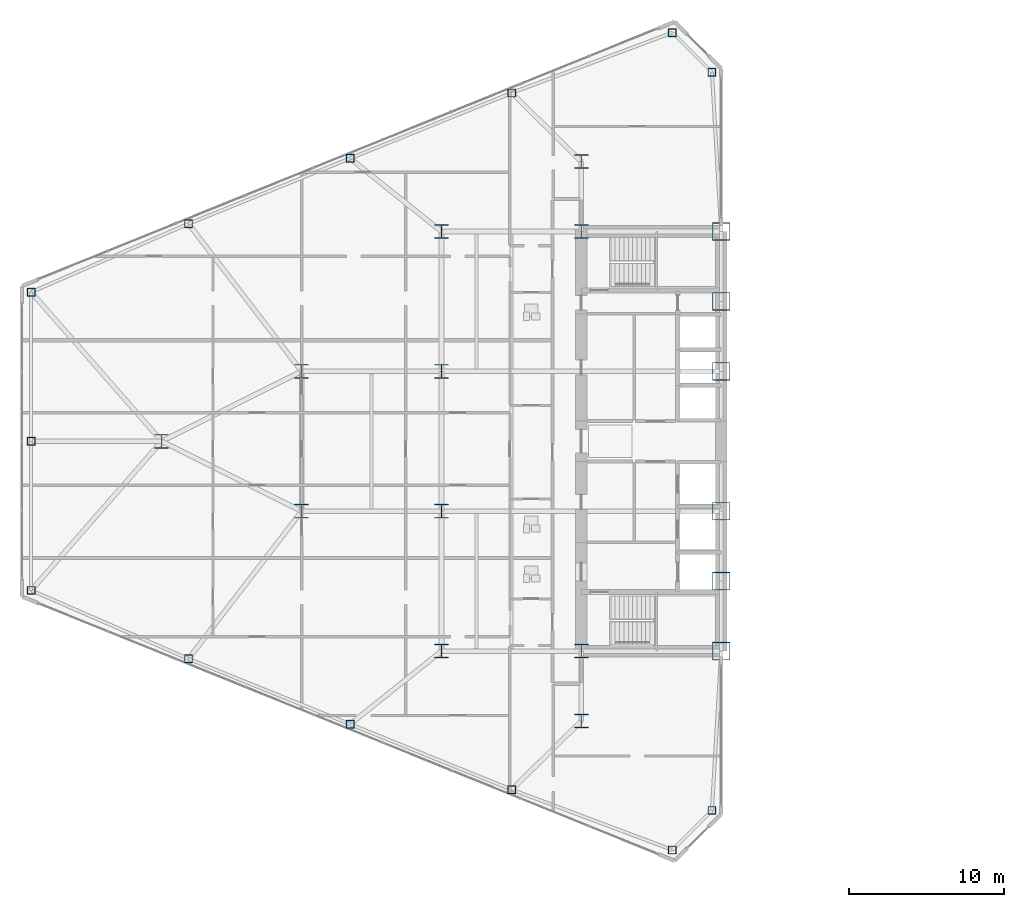
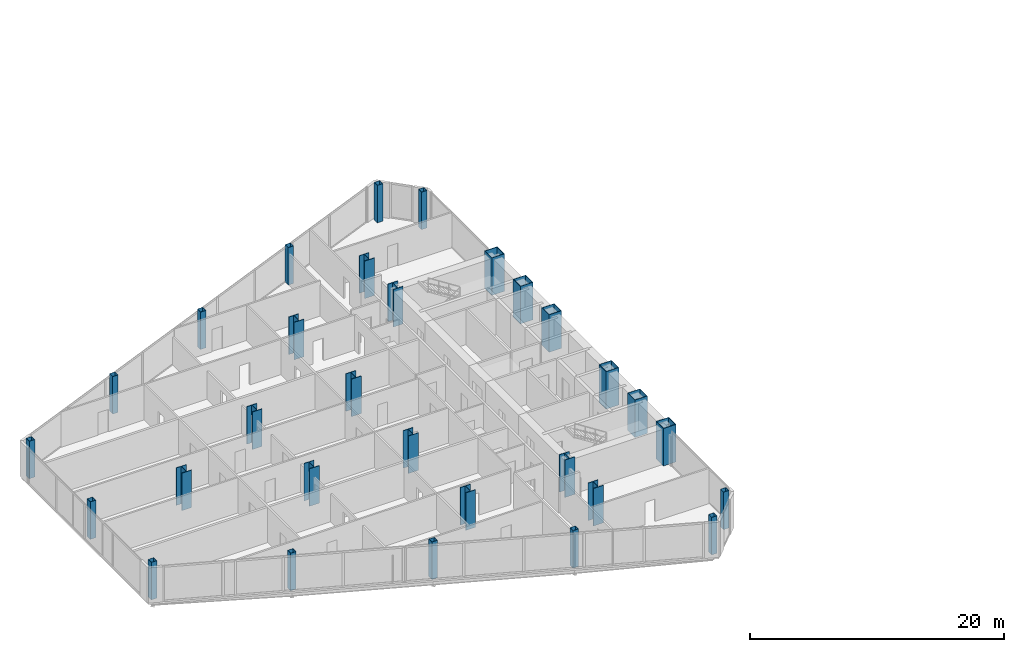
# One storey, part 1 of 25: 30 columns.
"""IFC4 building model written with IfcOpenShell, lengths in metres."""

import ifcopenshell
import ifcopenshell.guid

model = None  # the IFC model being written
_history = None  # IfcOwnerHistory: only IFC2X3 demands one
_inside = {}  # id of a spatial element -> (the spatial element, [elements in it])
_under = {}  # id of a project, library or spatial element -> (it, [spatial elements below it])
_declared = {}  # id of a project -> (the project, [libraries it declares])
_typed = {}  # id of a type object -> (the type object, [elements of that type])
_made_of = {}  # id of a material, layer set ... -> (it, [elements and type objects made of it])


def new_model(schema):
    """Start an empty IFC model of exactly this schema.

    Asked for "IFC4X3", IfcOpenShell would pick the latest addendum, in which some entities
    have other attributes; the version numbers below select the first issue.
    IFC2X3 requires an IfcOwnerHistory on every rooted entity: one is made here for all.
    """
    global model, _history
    if schema == "IFC4X3":
        model = ifcopenshell.file(schema_version=(4, 3, 0, 0))
    else:
        model = ifcopenshell.file(schema=schema)
    _inside.clear()
    _under.clear()
    _declared.clear()
    _typed.clear()
    _made_of.clear()
    _history = None
    if model.schema == "IFC2X3":
        org = make("IfcOrganization", Name="unknown")
        user = make(
            "IfcPersonAndOrganization",
            ThePerson=make("IfcPerson", FamilyName="unknown"),
            TheOrganization=org,
        )
        app = make(
            "IfcApplication",
            ApplicationDeveloper=org,
            Version="unknown",
            ApplicationFullName="unknown",
            ApplicationIdentifier="unknown",
        )
        _history = make(
            "IfcOwnerHistory",
            OwningUser=user,
            OwningApplication=app,
            ChangeAction="ADDED",
            CreationDate=0,
        )
    return model


def make(cls, **values):
    """One entity of the class cls with the attributes given. An attribute that is None is left unset."""
    return model.create_entity(
        cls, **{name: value for name, value in values.items() if value is not None}
    )


def rooted(cls, **values):
    """An entity with a GlobalId (a new one), such as an element, a storey or a relation."""
    return make(cls, GlobalId=ifcopenshell.guid.new(), OwnerHistory=_history, **values)


def si_unit(unit_type, name, prefix=None):
    """IfcSIUnit, for example si_unit("LENGTHUNIT", "METRE", prefix="MILLI")."""
    return make("IfcSIUnit", UnitType=unit_type, Prefix=prefix, Name=name)


def assignment(units):
    """IfcUnitAssignment: the units of a project."""
    return None if units is None else make("IfcUnitAssignment", Units=units)


def point(xyz):
    """IfcCartesianPoint."""
    return None if xyz is None else make("IfcCartesianPoint", Coordinates=xyz)


def direction(xyz):
    """IfcDirection."""
    return None if xyz is None else make("IfcDirection", DirectionRatios=xyz)


def frame(location, z_axis=None, x_axis=None):
    """IfcAxis2Placement3D, a coordinate frame: its origin and axes. An axis left out is left unset."""
    return make(
        "IfcAxis2Placement3D",
        Location=point(location),
        Axis=direction(z_axis),
        RefDirection=direction(x_axis),
    )


def frame_2d(location, x_axis=None):
    """IfcAxis2Placement2D, a coordinate frame in the plane: its origin and x axis."""
    return make(
        "IfcAxis2Placement2D", Location=point(location), RefDirection=direction(x_axis)
    )


def origin():
    """The frame at (0, 0, 0) with its axes left unset."""
    return frame((0.0, 0.0, 0.0))


def origin_2d():
    """The frame at (0, 0) in the plane with its x axis left unset."""
    return frame_2d((0.0, 0.0))


def place(relative_to, where):
    """IfcLocalPlacement: puts the frame where relative to a parent placement (None: the world)."""
    return make(
        "IfcLocalPlacement", PlacementRelTo=relative_to, RelativePlacement=where
    )


def context(
    kind, dimensions, precision=None, world=None, true_north=None, identifier=None
):
    """IfcGeometricRepresentationContext, for example the 3D "Model" context."""
    return make(
        "IfcGeometricRepresentationContext",
        ContextIdentifier=identifier,
        ContextType=kind,
        CoordinateSpaceDimension=dimensions,
        Precision=precision,
        WorldCoordinateSystem=world,
        TrueNorth=true_north,
    )


def subcontext(parent, identifier, kind, view, scale=None):
    """IfcGeometricRepresentationSubContext, for example "Body" below "Model"."""
    return make(
        "IfcGeometricRepresentationSubContext",
        ContextIdentifier=identifier,
        ContextType=kind,
        ParentContext=parent,
        TargetScale=scale,
        TargetView=view,
    )


def project(units=None, contexts=None):
    """IfcProject with its units and contexts."""
    return rooted(
        "IfcProject",
        Name="project",
        RepresentationContexts=contexts,
        UnitsInContext=assignment(units),
    )


def spatial(cls, under=None, at=None, **own):
    """A site, building, storey or space (cls), placed at a placement, below another one or the project."""
    s = rooted(cls, ObjectPlacement=at, **own)
    if under is not None:
        _under.setdefault(under.id(), (under, []))[1].append(s)
    return s


def profile(cls, at=None, kind="AREA", **sizes):
    """A parametric profile (cls). Its sizes go by their IFC names, for example OverallWidth=200.0."""
    return make(cls, ProfileType=kind, Position=at, **sizes)


def hollow_rectangle(**sizes):
    """IfcRectangleHollowProfileDef."""
    return profile("IfcRectangleHollowProfileDef", **sizes)


def i_section(**sizes):
    """IfcIShapeProfileDef."""
    return profile("IfcIShapeProfileDef", **sizes)


def extrude(swept, where, along, depth):
    """IfcExtrudedAreaSolid: the profile swept, set in the frame where, extruded along a direction by depth."""
    return make(
        "IfcExtrudedAreaSolid",
        SweptArea=swept,
        Position=where,
        ExtrudedDirection=direction(along),
        Depth=depth,
    )


def shape(context_of_items, identifier, shape_type, items):
    """IfcShapeRepresentation: the items that make up one representation, for example the "Body"."""
    return make(
        "IfcShapeRepresentation",
        ContextOfItems=context_of_items,
        RepresentationIdentifier=identifier,
        RepresentationType=shape_type,
        Items=items,
    )


def source(mapping_origin, context_of_items, identifier, shape_type, items):
    """IfcRepresentationMap: a shape defined once, which mapped items show again and again."""
    return make(
        "IfcRepresentationMap",
        MappingOrigin=mapping_origin,
        MappedRepresentation=shape(context_of_items, identifier, shape_type, items),
    )


def transform(
    local_origin,
    x_axis=None,
    y_axis=None,
    z_axis=None,
    scale=None,
    scale2=None,
    scale3=None,
    uniform=True,
):
    """IfcCartesianTransformationOperator3D, or its non-uniform kind. x_axis, y_axis, z_axis: its Axis1, 2, 3."""
    if uniform:
        return make(
            "IfcCartesianTransformationOperator3D",
            Axis1=direction(x_axis),
            Axis2=direction(y_axis),
            LocalOrigin=point(local_origin),
            Scale=scale,
            Axis3=direction(z_axis),
        )
    return make(
        "IfcCartesianTransformationOperator3DnonUniform",
        Axis1=direction(x_axis),
        Axis2=direction(y_axis),
        LocalOrigin=point(local_origin),
        Scale=scale,
        Axis3=direction(z_axis),
        Scale2=scale2,
        Scale3=scale3,
    )


def mapped(mapping_source, mapping_target):
    """IfcMappedItem: shows the shape of a source again, moved by a transform."""
    return make(
        "IfcMappedItem", MappingSource=mapping_source, MappingTarget=mapping_target
    )


def material(Name=None, Category=None):
    """IfcMaterial."""
    return make("IfcMaterial", Name=Name, Category=Category)


def material_profile(
    of_material, cross_section, Name=None, Category=None, Priority=None
):
    """IfcMaterialProfile: a cross section and its material."""
    return make(
        "IfcMaterialProfile",
        Name=Name,
        Material=of_material,
        Profile=cross_section,
        Priority=Priority,
        Category=Category,
    )


def profile_set(profiles, Name=None, composite=None):
    """IfcMaterialProfileSet."""
    return make(
        "IfcMaterialProfileSet",
        Name=Name,
        MaterialProfiles=profiles,
        CompositeProfile=composite,
    )


def made_of(thing, what):
    """Note that an element or type object is made of a material, layer set ...; save() writes the relation."""
    if what is not None:
        _made_of.setdefault(what.id(), (what, []))[1].append(thing)
    return thing


def type_object(cls, material=None, **own):
    """A type object (cls), such as IfcWallType, which elements share."""
    return made_of(rooted(cls, **own), material)


def type_shapes(of_type, sources):
    """Give a type object the sources (RepresentationMaps) that its elements show as mapped items."""
    of_type.RepresentationMaps = sources


def element(
    cls,
    number,
    at=None,
    inside=None,
    cuts=None,
    type_object=None,
    material=None,
    context=None,
    identifier="Body",
    shape_type=None,
    held_by="IfcProductDefinitionShape",
    body=None,
    shapes=None,
    **own,
):
    """One element of the class cls, such as IfcWall. Its Tag is "e" and its number.

    at: its placement. inside: the storey or other place that contains it. cuts: it is an
    opening in that element (IfcRelVoidsElement). A single representation is given by context,
    identifier, shape_type and body (its items); several are given by shapes. held_by: the class
    of the entity that holds the representations. save() writes the other relations.
    """
    e = rooted(cls, Tag="e%d" % number, ObjectPlacement=at, **own)
    if body is not None:
        shapes = [shape(context, identifier, shape_type, body)]
    if shapes is not None:
        e.Representation = make(held_by, Representations=shapes)
    if inside is not None:
        _inside.setdefault(inside.id(), (inside, []))[1].append(e)
    if cuts is not None:
        rooted(
            "IfcRelVoidsElement", RelatingBuildingElement=cuts, RelatedOpeningElement=e
        )
    if type_object is not None:
        _typed.setdefault(type_object.id(), (type_object, []))[1].append(e)
    return made_of(e, material)


def aggregate(whole, parts):
    """IfcRelAggregates: a whole, such as a stair, and the parts it consists of."""
    return rooted("IfcRelAggregates", RelatingObject=whole, RelatedObjects=parts)


def save(model, path):
    """Write the relations noted so far, then the file.

    IfcRelAggregates (storeys below a building ...), IfcRelContainedInSpatialStructure (elements
    in a storey), IfcRelDefinesByType, IfcRelAssociatesMaterial and IfcRelDeclares: one each for
    every whole, place, type object, material and project.
    """
    for whole, parts in _under.values():
        aggregate(whole, parts)
    for where, things in _inside.values():
        rooted(
            "IfcRelContainedInSpatialStructure",
            RelatedElements=things,
            RelatingStructure=where,
        )
    for kind, things in _typed.values():
        rooted("IfcRelDefinesByType", RelatedObjects=things, RelatingType=kind)
    for what, things in _made_of.values():
        rooted("IfcRelAssociatesMaterial", RelatedObjects=things, RelatingMaterial=what)
    for by, libraries in _declared.values():
        rooted("IfcRelDeclares", RelatingContext=by, RelatedDefinitions=libraries)
    model.write(path)


model = new_model("IFC4")

# Units and contexts
model_context = context("Model", 3, precision=1e-05, world=origin(), true_north=direction((0.0, 1.0)))
body_context = subcontext(model_context, "Body", "Model", "MODEL_VIEW")
ifc_project = project(units=[si_unit("LENGTHUNIT", "METRE"), si_unit("AREAUNIT", "SQUARE_METRE"), si_unit("VOLUMEUNIT", "CUBIC_METRE"), si_unit("PLANEANGLEUNIT", "RADIAN"), si_unit("MASSUNIT", "GRAM", prefix="KILO")], contexts=[model_context])

# Site, building, storey
site_placement = place(None, origin())
site = spatial("IfcSite", under=ifc_project, at=site_placement, CompositionType="ELEMENT")
building_placement = place(site_placement, origin())
building = spatial("IfcBuilding", under=site, at=building_placement, Name="Seokmaru Belvedere", CompositionType="ELEMENT")
storey_placement = place(building_placement, frame((0.0, 0.0, 22.5)))
storey = spatial("IfcBuildingStorey", under=building, at=storey_placement, Name="L05", CompositionType="ELEMENT", Elevation=22.5)

# Columns
ifc_material_1 = material(Name="Steel HSA650 (650 MPa)", Category="steel")
ifc_material_profile_1 = material_profile(ifc_material_1, hollow_rectangle(XDim=1.14990234375, YDim=1.14990234375, WallThickness=0.048095703125, at=origin_2d()), Name="BOX-1150x1150x48")
ifc_profile_set_1 = profile_set([ifc_material_profile_1], Name="Steel HSA650 (650 MPa)")
column_type_1 = type_object("IfcColumnType", Name="Portal Spine Column BOX-1150", PredefinedType="COLUMN", material=ifc_profile_set_1)
shared_shape_1 = source(origin(), body_context, "Body", "SweptSolid", [
    extrude(hollow_rectangle(XDim=1.14990234375, YDim=1.14990234375, WallThickness=0.048095703125, at=origin_2d()), origin(), (0.0, 0.0, 1.0), 3.60009765625),
])
type_shapes(column_type_1, [shared_shape_1])
for number, where, z_axis, x_axis, name in (
    (1, (-27.5, -13.5, 0.0), (0.0, 0.0, 1.0), (1.0, 0.0, 0.0), "L05 Column WS1"),
    (2, (-27.5, -9.0, 0.0), (0.0, 0.0, 1.0), (1.0, 0.0, 0.0), "L05 Column WS2"),
    (3, (-27.5, -4.5, 0.0), (0.0, 0.0, 1.0), (1.0, 0.0, 0.0), "L05 Column WS3"),
    (4, (-27.5, 4.5, 0.0), (0.0, 0.0, 1.0), (1.0, 0.0, 0.0), "L05 Column WS4"),
    (5, (-27.5, 9.0, 0.0), (0.0, 0.0, 1.0), (1.0, 0.0, 0.0), "L05 Column WS5"),
    (6, (-27.5, 13.5, 0.0), (0.0, 0.0, 1.0), (1.0, 0.0, 0.0), "L05 Column WS6"),
):
    element("IfcColumn", number, at=place(storey_placement, frame(where, z_axis=z_axis, x_axis=x_axis)), inside=storey, type_object=column_type_1, Name=name, PredefinedType="COLUMN", context=body_context, shape_type="MappedRepresentation", body=[
        mapped(shared_shape_1, transform((0.0, 0.0, 0.0), scale=1.0)),
    ])
ifc_material_profile_2 = material_profile(ifc_material_1, i_section(OverallWidth=0.89990234375, OverallDepth=0.89990234375, WebThickness=0.035888671875, FlangeThickness=0.054931640625, at=origin_2d()), Name="H-900x900x36x55")
ifc_profile_set_2 = profile_set([ifc_material_profile_2], Name="Steel HSA650 (650 MPa)")
column_type_2 = type_object("IfcColumnType", Name="Lower Interior Column H-900", PredefinedType="COLUMN", material=ifc_profile_set_2)
shared_shape_2 = source(origin(), body_context, "Body", "SweptSolid", [
    extrude(i_section(OverallWidth=0.89990234375, OverallDepth=0.89990234375, WebThickness=0.035888671875, FlangeThickness=0.054931640625, at=origin_2d()), origin(), (0.0, 0.0, 1.0), 3.60009765625),
])
type_shapes(column_type_2, [shared_shape_2])
for number, where, z_axis, x_axis, name in (
    (7, (-36.5, -18.0, 0.0), (0.0, 0.0, 1.0), (1.0, 0.0, 0.0), "L05 Column WC1"),
    (8, (-36.5, -13.5, 0.0), (0.0, 0.0, 1.0), (1.0, 0.0, 0.0), "L05 Column WC2"),
    (9, (-36.5, 13.5, 0.0), (0.0, 0.0, 1.0), (1.0, 0.0, 0.0), "L05 Column WC3"),
    (10, (-36.5, 18.0, 0.0), (0.0, 0.0, 1.0), (1.0, 0.0, 0.0), "L05 Column WC4"),
    (11, (-45.5, -13.5, 0.0), (0.0, 0.0, 1.0), (1.0, 0.0, 0.0), "L05 Column WG5_1"),
    (12, (-45.5, -4.5, 0.0), (0.0, 0.0, 1.0), (1.0, 0.0, 0.0), "L05 Column WG5_2"),
    (13, (-45.5, 4.5, 0.0), (0.0, 0.0, 1.0), (1.0, 0.0, 0.0), "L05 Column WG5_3"),
    (14, (-45.5, 13.5, 0.0), (0.0, 0.0, 1.0), (1.0, 0.0, 0.0), "L05 Column WG5_4"),
    (15, (-54.5, -4.5, 0.0), (0.0, 0.0, 1.0), (1.0, 0.0, 0.0), "L05 Column WG4P_1"),
    (16, (-54.5, 4.5, 0.0), (0.0, 0.0, 1.0), (1.0, 0.0, 0.0), "L05 Column WG4P_2"),
    (17, (-63.5, 0.0, 0.0), (0.0, 0.0, 1.0), (1.0, 0.0, 0.0), "L05 Column WG3P_1"),
):
    element("IfcColumn", number, at=place(storey_placement, frame(where, z_axis=z_axis, x_axis=x_axis)), inside=storey, type_object=column_type_2, Name=name, PredefinedType="COLUMN", context=body_context, shape_type="MappedRepresentation", body=[
        mapped(shared_shape_2, transform((0.0, 0.0, 0.0), scale=1.0)),
    ])
ifc_material_2 = material(Name="Steel SM355 (355 MPa)", Category="steel")
ifc_material_profile_3 = material_profile(ifc_material_2, hollow_rectangle(XDim=0.5, YDim=0.5, WallThickness=0.02001953125, at=origin_2d()), Name="HSS-500x500x20")
ifc_profile_set_3 = profile_set([ifc_material_profile_3], Name="Steel SM355 (355 MPa)")
column_type_3 = type_object("IfcColumnType", Name="Perimeter Facet Column HSS-500", PredefinedType="COLUMN", material=ifc_profile_set_3)
shared_shape_3 = source(origin(), body_context, "Body", "SweptSolid", [
    extrude(hollow_rectangle(XDim=0.5, YDim=0.5, WallThickness=0.02001953125, at=origin_2d()), origin(), (0.0, 0.0, 1.0), 3.60009765625),
])
type_shapes(column_type_3, [shared_shape_3])
for number, where, z_axis, x_axis, name in (
    (18, (-28.10009765625, -23.75146484375, 0.0), (0.0, 0.0, 1.0), (1.0, 0.0, 0.0), "L05 Column WF1"),
    (19, (-28.10009765625, 23.75146484375, 0.0), (0.0, 0.0, 1.0), (1.0, 0.0, 0.0), "L05 Column WF2"),
    (20, (-30.643310546875, 26.294677734375, 0.0), (0.0, 0.0, 1.0), (1.0, 0.0, 0.0), "L05 Column WF3"),
    (21, (-71.89990234375, 9.595703125, 0.0), (0.0, 0.0, 1.0), (1.0, 0.0, 0.0), "L05 Column WF4"),
    (22, (-71.89990234375, -9.595703125, 0.0), (0.0, 0.0, 1.0), (1.0, 0.0, 0.0), "L05 Column WF5"),
    (23, (-30.643310546875, -26.294677734375, 0.0), (0.0, 0.0, 1.0), (1.0, 0.0, 0.0), "L05 Column WF6"),
    (24, (-40.977294921875, -22.4140625, 0.0), (0.0, 0.0, 1.0), (1.0, 0.0, 0.0), "L05 Column WFLK_S1"),
    (25, (-51.378173828125, -18.2041015625, 0.0), (0.0, 0.0, 1.0), (1.0, 0.0, 0.0), "L05 Column WFLK_S2"),
    (26, (-61.779052734375, -13.994140625, 0.0), (0.0, 0.0, 1.0), (1.0, 0.0, 0.0), "L05 Column WFLK_S3"),
    (27, (-40.977294921875, 22.4140625, 0.0), (0.0, 0.0, 1.0), (1.0, 0.0, 0.0), "L05 Column WFLK_N1"),
    (28, (-51.378173828125, 18.2041015625, 0.0), (0.0, 0.0, 1.0), (1.0, 0.0, 0.0), "L05 Column WFLK_N2"),
    (29, (-61.779052734375, 13.994140625, 0.0), (0.0, 0.0, 1.0), (1.0, 0.0, 0.0), "L05 Column WFLK_N3"),
    (30, (-71.89990234375, 0.0, 0.0), (0.0, 0.0, 1.0), (1.0, 0.0, 0.0), "L05 Column WF_APXM"),
):
    element("IfcColumn", number, at=place(storey_placement, frame(where, z_axis=z_axis, x_axis=x_axis)), inside=storey, type_object=column_type_3, Name=name, PredefinedType="COLUMN", context=body_context, shape_type="MappedRepresentation", body=[
        mapped(shared_shape_3, transform((0.0, 0.0, 0.0), scale=1.0)),
    ])

save(model, "model.ifc")
